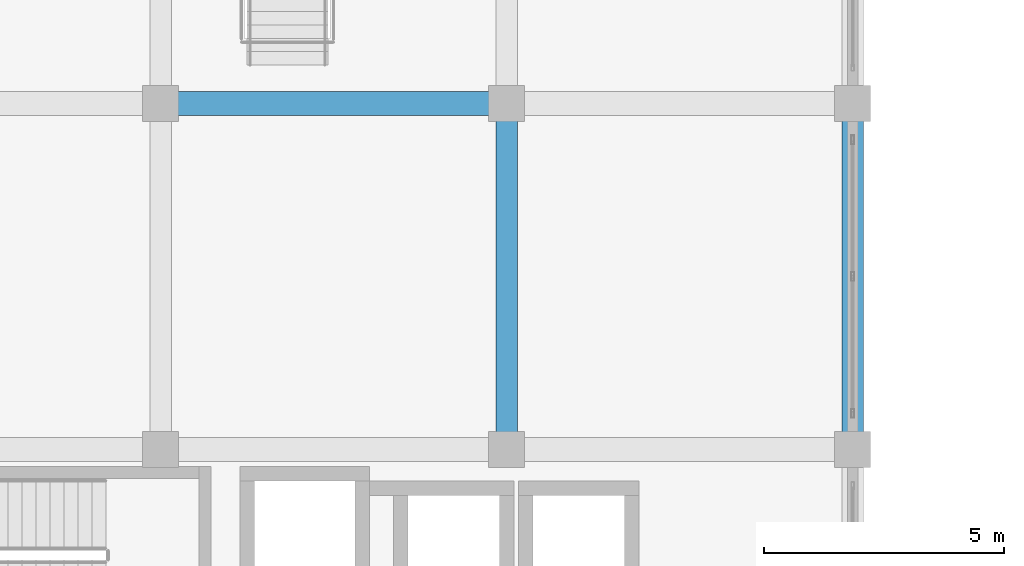
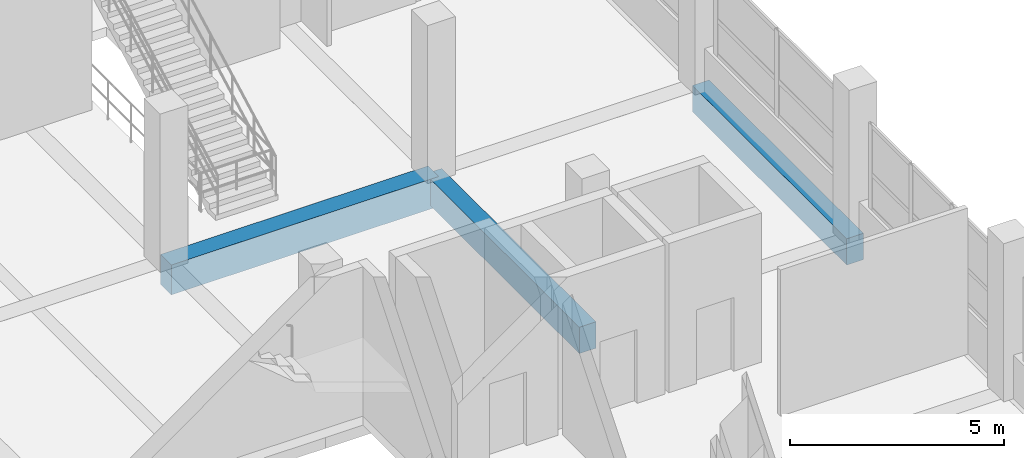
# One storey, part 54 of 141: 3 beams.
"""IFC4 building model written with IfcOpenShell, lengths in metres."""

from ifc_helpers import new_model, si_unit, direction, frame, origin, origin_2d, place, context, subcontext, project, spatial, rectangle, extrude, material, material_profile, profile_set, type_object, element, save


model = new_model("IFC4")

# Units and contexts
model_context = context("Model", 3, precision=1e-05, world=origin(), true_north=direction((0.0, 1.0)))
body_context = subcontext(model_context, "Body", "Model", "MODEL_VIEW")
ifc_project = project(units=[si_unit("LENGTHUNIT", "METRE"), si_unit("AREAUNIT", "SQUARE_METRE"), si_unit("VOLUMEUNIT", "CUBIC_METRE"), si_unit("PLANEANGLEUNIT", "RADIAN"), si_unit("MASSUNIT", "GRAM", prefix="KILO")], contexts=[model_context])

# Site, building, storey
site_placement = place(None, origin())
site = spatial("IfcSite", under=ifc_project, at=site_placement, CompositionType="ELEMENT")
building_placement = place(site_placement, origin())
building = spatial("IfcBuilding", under=site, at=building_placement, Name="Seraya Terrace Polytechnic", CompositionType="ELEMENT")
storey_placement = place(building_placement, frame((0.0, 0.0, 14.39990234375)))
storey = spatial("IfcBuildingStorey", under=building, at=storey_placement, Name="L03", CompositionType="ELEMENT", Elevation=14.39990234375)

# Beams
ifc_material = material(Name="Concrete C40/50", Category="concrete")
ifc_material_profile_1 = material_profile(ifc_material, rectangle(XDim=0.5, YDim=0.85009765625, at=origin_2d()), Name="RC 500x850")
ifc_profile_set_1 = profile_set([ifc_material_profile_1], Name="Concrete C40/50")
beam_type_1 = type_object("IfcBeamType", Name="BM-05", PredefinedType="BEAM", material=ifc_profile_set_1)
beam_placement = place(storey_placement, frame((93.60009765625, 50.39990234375, -0.4248046875), z_axis=(1.0, 0.0, 0.0), x_axis=(0.0, 1.0, 0.0)))
element("IfcBeam", 1, at=beam_placement, inside=storey, type_object=beam_type_1, Name="Beam BM-05 L03 X (93.6..100.8, 50.4)", PredefinedType="BEAM", context=body_context, shape_type="SweptSolid", body=[
    extrude(rectangle(XDim=0.5, YDim=0.85009765625, at=origin_2d()), origin(), (0.0, 0.0, 1.0), 7.199951171875),
])
ifc_material_profile_2 = material_profile(ifc_material, rectangle(XDim=0.449951171875, YDim=0.75, at=origin_2d()), Name="RC 450x750")
ifc_profile_set_2 = profile_set([ifc_material_profile_2], Name="Concrete C40/50")
beam_type_2 = type_object("IfcBeamType", Name="BM-08", PredefinedType="BEAM", material=ifc_profile_set_2)
for number, where, z_axis, x_axis, name in (
    (2, (100.800048828125, 43.199951171875, -0.375), (0.0, 1.0, 0.0), (-1.0, 0.0, 0.0), "Beam BM-08 L03 Y (100.8, 43.2..50.4)"),
    (3, (108.0, 43.199951171875, -0.375), (0.0, 1.0, 0.0), (-1.0, 0.0, 0.0), "Beam BM-08 L03 Y (108.0, 43.2..50.4)"),
):
    element("IfcBeam", number, at=place(storey_placement, frame(where, z_axis=z_axis, x_axis=x_axis)), inside=storey, type_object=beam_type_2, Name=name, PredefinedType="BEAM", context=body_context, shape_type="SweptSolid", body=[
        extrude(rectangle(XDim=0.449951171875, YDim=0.75, at=origin_2d()), origin(), (0.0, 0.0, 1.0), 7.199951171875),
    ])

save(model, "model.ifc")
